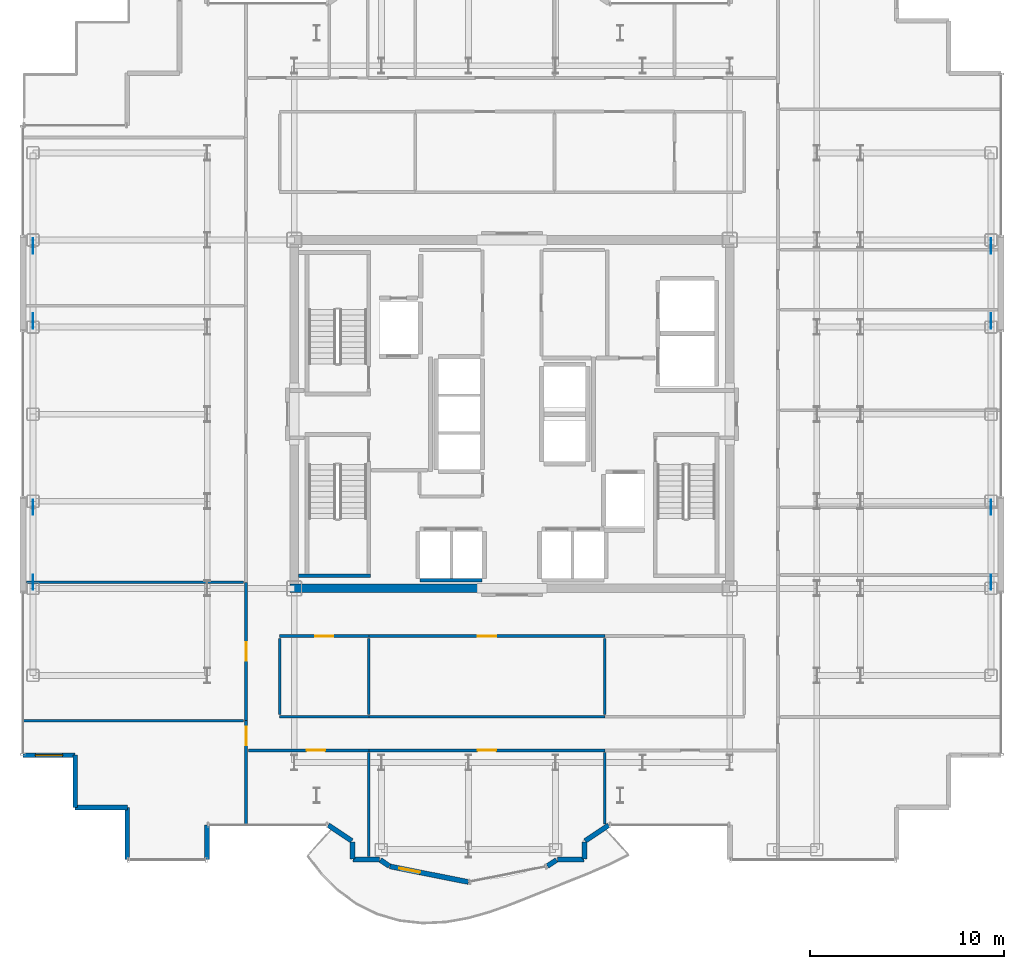
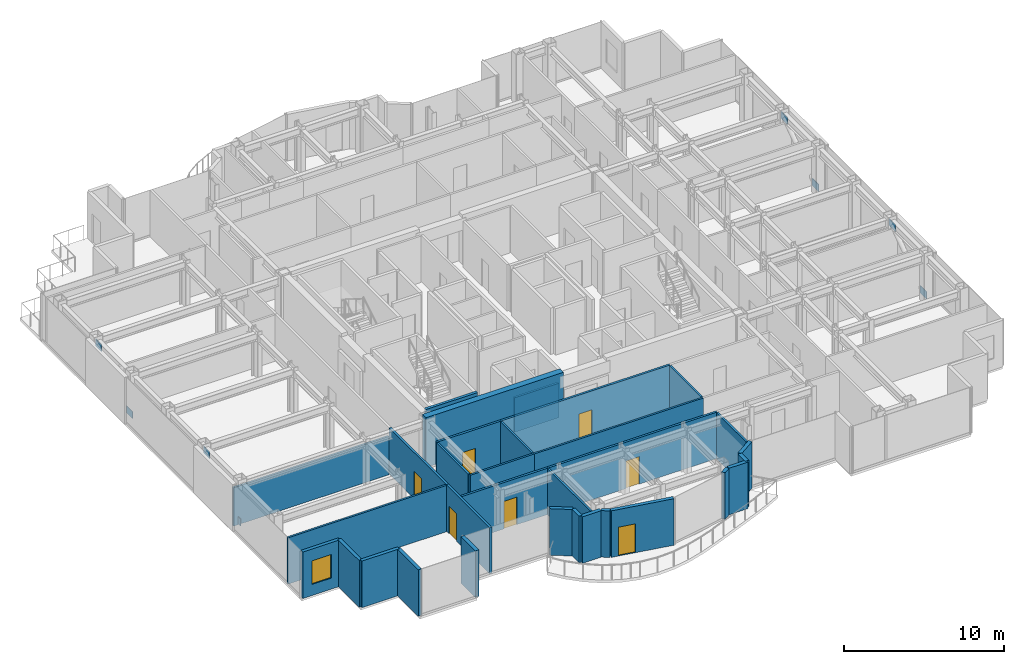
# One storey, part 15 of 22: 32 walls, 8 plates, 7 doors, 1 window, 8 openings.
"""IFC4 building model written with IfcOpenShell, lengths in metres."""

from ifc_helpers import new_model, si_unit, direction, frame, frame_2d, origin, origin_2d, place, context, subcontext, project, spatial, rectangle, extrude, source, transform, mapped, material, layer, layer_set, type_object, element, fill, save


model = new_model("IFC4")

# Units and contexts
model_context = context("Model", 3, precision=1e-05, world=origin(), true_north=direction((0.0, 1.0)))
body_context = subcontext(model_context, "Body", "Model", "MODEL_VIEW")
ifc_project = project(units=[si_unit("LENGTHUNIT", "METRE"), si_unit("AREAUNIT", "SQUARE_METRE"), si_unit("VOLUMEUNIT", "CUBIC_METRE"), si_unit("PLANEANGLEUNIT", "RADIAN"), si_unit("MASSUNIT", "GRAM", prefix="KILO")], contexts=[model_context])

# Site, building, storey
site_placement = place(None, origin())
site = spatial("IfcSite", under=ifc_project, at=site_placement, CompositionType="ELEMENT")
building_placement = place(site_placement, origin())
building = spatial("IfcBuilding", under=site, at=building_placement, Name="Nefas-Gora Pilgrimage Tower", CompositionType="ELEMENT")
storey_placement = place(building_placement, frame((0.0, 0.0, 240.800048828125)))
storey = spatial("IfcBuildingStorey", under=building, at=storey_placement, Name="L60", CompositionType="ELEMENT", Elevation=240.800048828125)

# Plates
ifc_material_1 = material(Name="Steel S460", Category="steel")
ifc_layer_1 = layer(ifc_material_1, 0.050048828125)
ifc_layer_set_1 = layer_set([ifc_layer_1], Name="Steel S460")
plate_type = type_object("IfcPlateType", Name="PLT-NODE-N08", PredefinedType="USERDEFINED", material=ifc_layer_set_1)
shared_shape_1 = source(origin(), body_context, "Body", "SweptSolid", [
    extrude(rectangle(XDim=0.780029296875, YDim=0.0380859375, at=origin_2d()), origin(), (0.0, 0.0, 1.0), 0.5400390625),
])
for number, where, z_axis, x_axis, name in (
    (1, (-24.75, -8.68701171875, 0.10400390625), (0.0, 0.0, 1.0), (0.0, 1.0, 0.0), "Structural Node Gusset Plate N08 (L60)"),
    (2, (-24.75, -4.81298828125, 2.8759765625), (0.0, 0.0, 1.0), (0.0, 1.0, 0.0), "Structural Node Gusset Plate N08 (L60)"),
    (3, (-24.75, 4.81298828125, 0.10400390625), (0.0, 0.0, 1.0), (0.0, 1.0, 0.0), "Structural Node Gusset Plate N08 (L60)"),
    (4, (-24.75, 8.68701171875, 2.8759765625), (0.0, 0.0, 1.0), (0.0, 1.0, 0.0), "Structural Node Gusset Plate N08 (L60)"),
    (5, (24.75, -8.68701171875, 0.10400390625), (0.0, 0.0, 1.0), (0.0, 1.0, 0.0), "Structural Node Gusset Plate N08 (L60)"),
    (6, (24.75, -4.81298828125, 2.8759765625), (0.0, 0.0, 1.0), (0.0, 1.0, 0.0), "Structural Node Gusset Plate N08 (L60)"),
    (7, (24.75, 4.81298828125, 0.10400390625), (0.0, 0.0, 1.0), (0.0, 1.0, 0.0), "Structural Node Gusset Plate N08 (L60)"),
    (8, (24.75, 8.68701171875, 2.8759765625), (0.0, 0.0, 1.0), (0.0, 1.0, 0.0), "Structural Node Gusset Plate N08 (L60)"),
):
    element("IfcPlate", number, at=place(storey_placement, frame(where, z_axis=z_axis, x_axis=x_axis)), inside=storey, type_object=plate_type, Name=name, ObjectType="GUSSET_PLATE", PredefinedType="USERDEFINED", context=body_context, shape_type="MappedRepresentation", body=[
        mapped(shared_shape_1, transform((0.0, 0.0, 0.0), x_axis=(1.0, 0.0, 0.0), y_axis=(0.0, 1.0, 0.0), z_axis=(0.0, 0.0, 1.0), scale=1.0)),
    ])

# Walls
ifc_material_2 = material(Name="Concrete C50/60", Category="concrete")
ifc_layer_2 = layer(ifc_material_2, 0.449951171875)
ifc_layer_set_2 = layer_set([ifc_layer_2], Name="Concrete C50/60")
wall_type_1 = type_object("IfcWallType", Name="SW-CORE-450", PredefinedType="SHEAR", material=ifc_layer_set_2)
shared_shape_2 = source(origin(), body_context, "Body", "SweptSolid", [
    extrude(rectangle(XDim=9.925048828125, YDim=0.449951171875, at=frame_2d((4.96240234375, 0.0))), origin(), (0.0, 0.0, 1.0), 3.800048828125),
])
wall_1_placement = place(storey_placement, frame((-11.47509765625, -9.0, 0.0), z_axis=(0.0, 0.0, 1.0), x_axis=(1.0, 0.0, 0.0)))
element("IfcWall", 9, at=wall_1_placement, inside=storey, type_object=wall_type_1, Name="L60 Core Shear Wall S-West", PredefinedType="SHEAR", context=body_context, shape_type="MappedRepresentation", body=[
    mapped(shared_shape_2, transform((0.0, 0.0, 0.0), x_axis=(1.0, 0.0, 0.0), y_axis=(0.0, 1.0, 0.0), z_axis=(0.0, 0.0, 1.0), scale=1.0)),
])
ifc_material_3 = material(Name="Precast concrete C40/50", Category="concrete")
ifc_layer_3 = layer(ifc_material_3, 0.260009765625)
ifc_layer_set_3 = layer_set([ifc_layer_3], Name="Precast concrete C40/50")
wall_type_2 = type_object("IfcWallType", Name="EW-PORTAL-260", PredefinedType="SOLIDWALL", material=ifc_layer_set_3)
shared_shape_3 = source(origin(), body_context, "Body", "SweptSolid", [
    extrude(rectangle(XDim=1.800048828125, YDim=0.260009765625, at=frame_2d((0.89990234375, 0.0))), origin(), (0.0, 0.0, 1.0), 3.550048828125),
])
wall_2_placement = place(storey_placement, frame((-15.75, -23.02001953125, 0.0), z_axis=(0.0, 0.0, 1.0), x_axis=(0.0, 1.0, 0.0)))
element("IfcWall", 10, at=wall_2_placement, inside=storey, type_object=wall_type_2, Name="L60 Lobe Shoulder Precast Spandrel Pier 33", PredefinedType="SOLIDWALL", context=body_context, shape_type="MappedRepresentation", body=[
    mapped(shared_shape_3, transform((0.0, 0.0, 0.0), x_axis=(1.0, 0.0, 0.0), y_axis=(0.0, 1.0, 0.0), z_axis=(0.0, 0.0, 1.0), scale=1.0)),
])

# Wall, opening, window
ifc_material_4 = material(Name="Precast concrete C45/55", Category="concrete")
ifc_layer_4 = layer(ifc_material_4, 0.239990234375)
ifc_layer_set_4 = layer_set([ifc_layer_4], Name="Precast concrete C45/55")
wall_type_3 = type_object("IfcWallType", Name="EW-SERR-240", PredefinedType="SHEAR", material=ifc_layer_set_4)
shared_shape_4 = source(origin(), body_context, "Body", "SweptSolid", [
    extrude(rectangle(XDim=2.699951171875, YDim=0.239990234375, at=frame_2d((1.35009765625, 0.0))), origin(), (0.0, 0.0, 1.0), 3.550048828125),
])
wall_3_placement = place(storey_placement, frame((-25.27001953125, -17.6201171875, 0.0), z_axis=(0.0, 0.0, 1.0), x_axis=(1.0, 0.0, 0.0)))
wall_3 = element("IfcWall", 11, at=wall_3_placement, inside=storey, type_object=wall_type_3, Name="L60 Serrated Corner Shear Pier Wall 29", PredefinedType="SHEAR", context=body_context, shape_type="MappedRepresentation", body=[
    mapped(shared_shape_4, transform((0.0, 0.0, 0.0), x_axis=(1.0, 0.0, 0.0), y_axis=(0.0, 1.0, 0.0), z_axis=(0.0, 0.0, 1.0), scale=1.0)),
])
opening_1_placement = place(wall_3_placement, frame((0.64990234375, 0.0, 0.85009765625)))
opening_1 = element("IfcOpeningElement", 12, at=opening_1_placement, cuts=wall_3, Name="Opening W-V2", PredefinedType="OPENING", context=body_context, shape_type="SweptSolid", body=[
    extrude(rectangle(XDim=1.39990234375, YDim=1.800048828125, at=frame_2d((0.699951171875, 0.89990234375))), frame((0.0, 0.1298828125, 0.0), z_axis=(0.0, -1.0, 0.0), x_axis=(1.0, 0.0, 0.0)), (0.0, 0.0, 1.0), 0.260009765625),
])
ifc_material_5 = material(Name="Dark ceramic-fritted operable aluminium-glass window", Category="aluminium")
window_type = type_object("IfcWindowType", Name="WIN-VENT-1400x1800", PartitioningType="SINGLE_PANEL", PredefinedType="WINDOW", material=ifc_material_5)
shared_shape_5 = source(origin(), body_context, "Body", "SweptSolid", [
    extrude(rectangle(XDim=1.39990234375, YDim=1.800048828125, at=frame_2d((0.699951171875, 0.89990234375))), frame((0.0, 0.030029296875, 0.0), z_axis=(0.0, -1.0, 0.0), x_axis=(1.0, 0.0, 0.0)), (0.0, 0.0, 1.0), 0.06005859375),
])
window_placement = place(opening_1_placement, origin())
window = element("IfcWindow", 13, at=window_placement, inside=storey, type_object=window_type, Name="L60 Operable Parallel-Outswing Window 29", OverallHeight=1.800048828125, OverallWidth=1.39990234375, PartitioningType="SINGLE_PANEL", PredefinedType="WINDOW", context=body_context, shape_type="MappedRepresentation", body=[
    mapped(shared_shape_5, transform((0.0, 0.0, 0.0), x_axis=(1.0, 0.0, 0.0), y_axis=(0.0, 1.0, 0.0), z_axis=(0.0, 0.0, 1.0), scale=1.0)),
])
fill(opening_1, window)

# Walls
for number, where, z_axis, x_axis, name in (
    (14, (-22.570068359375, -17.6201171875, 0.0), (0.0, 0.0, 1.0), (0.0, -1.0, 0.0), "L60 Serrated Corner Shear Pier Wall 30"),
    (15, (-22.570068359375, -20.320068359375, 0.0), (0.0, 0.0, 1.0), (1.0, 0.0, 0.0), "L60 Serrated Corner Shear Pier Wall 31"),
    (16, (-19.8701171875, -20.320068359375, 0.0), (0.0, 0.0, 1.0), (0.0, -1.0, 0.0), "L60 Serrated Corner Shear Pier Wall 32"),
):
    element("IfcWall", number, at=place(storey_placement, frame(where, z_axis=z_axis, x_axis=x_axis)), inside=storey, type_object=wall_type_3, Name=name, PredefinedType="SHEAR", context=body_context, shape_type="MappedRepresentation", body=[
        mapped(shared_shape_4, transform((0.0, 0.0, 0.0), x_axis=(1.0, 0.0, 0.0), y_axis=(0.0, 1.0, 0.0), z_axis=(0.0, 0.0, 1.0), scale=1.0)),
    ])
shared_shape_6 = source(origin(), body_context, "Body", "SweptSolid", [
    extrude(rectangle(XDim=1.468994140625, YDim=0.260009765625, at=frame_2d((0.734375, 0.0))), origin(), (0.0, 0.0, 1.0), 3.550048828125),
])
for number, where, z_axis, x_axis, name in (
    (17, (-9.49462890625, -21.235595703125, 0.0), (0.0, 0.0, 1.0), (0.831461760506, -0.555581983884, 0.0), "L60 Lobe Shoulder Precast Spandrel Pier 34"),
    (18, (3.773193359375, -22.0517578125, 0.0), (0.0, 0.0, 1.0), (0.831461760506, 0.555581983884, 0.0), "L60 Lobe Shoulder Precast Spandrel Pier 42"),
):
    element("IfcWall", number, at=place(storey_placement, frame(where, z_axis=z_axis, x_axis=x_axis)), inside=storey, type_object=wall_type_2, Name=name, PredefinedType="SOLIDWALL", context=body_context, shape_type="MappedRepresentation", body=[
        mapped(shared_shape_6, transform((0.0, 0.0, 0.0), x_axis=(1.0, 0.0, 0.0), y_axis=(0.0, 1.0, 0.0), z_axis=(0.0, 0.0, 1.0), scale=1.0)),
    ])
shared_shape_7 = source(origin(), body_context, "Body", "SweptSolid", [
    extrude(rectangle(XDim=0.896728515625, YDim=0.260009765625, at=frame_2d((0.4482421875, 0.0))), origin(), (0.0, 0.0, 1.0), 3.550048828125),
])
for number, where, z_axis, x_axis, name in (
    (19, (-8.25, -22.09521484375, 0.0), (0.0, 0.0, 1.0), (0.0, -1.0, 0.0), "L60 Lobe Shoulder Precast Spandrel Pier 35"),
    (20, (3.75, -22.991943359375, 0.0), (0.0, 0.0, 1.0), (0.0, 1.0, 0.0), "L60 Lobe Shoulder Precast Spandrel Pier 41"),
):
    element("IfcWall", number, at=place(storey_placement, frame(where, z_axis=z_axis, x_axis=x_axis)), inside=storey, type_object=wall_type_2, Name=name, PredefinedType="SOLIDWALL", context=body_context, shape_type="MappedRepresentation", body=[
        mapped(shared_shape_7, transform((0.0, 0.0, 0.0), x_axis=(1.0, 0.0, 0.0), y_axis=(0.0, 1.0, 0.0), z_axis=(0.0, 0.0, 1.0), scale=1.0)),
    ])
shared_shape_8 = source(origin(), body_context, "Body", "SweptSolid", [
    extrude(rectangle(XDim=1.369873046875, YDim=0.260009765625, at=frame_2d((0.68505859375, 0.0))), origin(), (0.0, 0.0, 1.0), 3.550048828125),
])
for number, where, z_axis, x_axis, name in (
    (21, (-8.221923828125, -23.02001953125, 0.0), (0.0, 0.0, 1.0), (1.0, 0.0, 0.0), "L60 Lobe Shoulder Precast Spandrel Pier 36"),
    (22, (2.35205078125, -23.02001953125, 0.0), (0.0, 0.0, 1.0), (1.0, 0.0, 0.0), "L60 Lobe Shoulder Precast Spandrel Pier 40"),
):
    element("IfcWall", number, at=place(storey_placement, frame(where, z_axis=z_axis, x_axis=x_axis)), inside=storey, type_object=wall_type_2, Name=name, PredefinedType="SOLIDWALL", context=body_context, shape_type="MappedRepresentation", body=[
        mapped(shared_shape_8, transform((0.0, 0.0, 0.0), x_axis=(1.0, 0.0, 0.0), y_axis=(0.0, 1.0, 0.0), z_axis=(0.0, 0.0, 1.0), scale=1.0)),
    ])
shared_shape_9 = source(origin(), body_context, "Body", "SweptSolid", [
    extrude(rectangle(XDim=0.5654296875, YDim=0.260009765625, at=frame_2d((0.28271484375, 0.0))), origin(), (0.0, 0.0, 1.0), 3.550048828125),
])
for number, where, z_axis, x_axis, name in (
    (23, (-6.80078125, -23.03564453125, 0.0), (0.0, 0.0, 1.0), (0.831651492666, -0.555297933317, 0.0), "L60 Lobe Shoulder Precast Spandrel Pier 37"),
    (24, (1.83056640625, -23.349609375, 0.0), (0.0, 0.0, 1.0), (0.831651492666, 0.555297933317, 0.0), "L60 Lobe Shoulder Precast Spandrel Pier 39"),
):
    element("IfcWall", number, at=place(storey_placement, frame(where, z_axis=z_axis, x_axis=x_axis)), inside=storey, type_object=wall_type_2, Name=name, PredefinedType="SOLIDWALL", context=body_context, shape_type="MappedRepresentation", body=[
        mapped(shared_shape_9, transform((0.0, 0.0, 0.0), x_axis=(1.0, 0.0, 0.0), y_axis=(0.0, 1.0, 0.0), z_axis=(0.0, 0.0, 1.0), scale=1.0)),
    ])

# Wall, opening, door
shared_shape_10 = source(origin(), body_context, "Body", "SweptSolid", [
    extrude(rectangle(XDim=4.136962890625, YDim=0.260009765625, at=frame_2d((2.068359375, 0.0))), origin(), (0.0, 0.0, 1.0), 3.550048828125),
])
wall_4_placement = place(storey_placement, frame((-6.307373046875, -23.365234375, 0.0), z_axis=(0.0, 0.0, 1.0), x_axis=(0.980782170794, -0.195105954428, 0.0)))
wall_4 = element("IfcWall", 25, at=wall_4_placement, inside=storey, type_object=wall_type_2, Name="L60 Insulated Terrace Portal Wall 38", PredefinedType="SOLIDWALL", context=body_context, shape_type="MappedRepresentation", body=[
    mapped(shared_shape_10, transform((0.0, 0.0, 0.0), x_axis=(1.0, 0.0, 0.0), y_axis=(0.0, 1.0, 0.0), z_axis=(0.0, 0.0, 1.0), scale=1.0)),
])
opening_2_placement = place(wall_4_placement, frame((0.48779296875, 0.0, 0.0)))
opening_2 = element("IfcOpeningElement", 26, at=opening_2_placement, cuts=wall_4, Name="Opening ED-B1", PredefinedType="OPENING", context=body_context, shape_type="SweptSolid", body=[
    extrude(rectangle(XDim=1.10009765625, YDim=2.199951171875, at=frame_2d((0.550048828125, 1.10009765625))), frame((0.0, 0.139892578125, 0.0), z_axis=(0.0, -1.0, 0.0), x_axis=(1.0, 0.0, 0.0)), (0.0, 0.0, 1.0), 0.280029296875),
])
ifc_material_6 = material(Name="Thermally broken glazed aluminium balcony door", Category="aluminium")
door_type_1 = type_object("IfcDoorType", Name="DR-EXT-BAL-1100", OperationType="NOTDEFINED", PredefinedType="DOOR", material=ifc_material_6)
shared_shape_11 = source(origin(), body_context, "Body", "SweptSolid", [
    extrude(rectangle(XDim=1.10009765625, YDim=2.199951171875, at=frame_2d((0.550048828125, 1.10009765625))), frame((0.0, 0.02490234375, 0.0), z_axis=(0.0, -1.0, 0.0), x_axis=(1.0, 0.0, 0.0)), (0.0, 0.0, 1.0), 0.050048828125),
])
door_1_placement = place(opening_2_placement, origin())
door_1 = element("IfcDoor", 27, at=door_1_placement, inside=storey, type_object=door_type_1, Name="L60 Exterior Door (L60 S Lobe Wave Balcony)", OperationType="SINGLE_SWING_RIGHT", OverallHeight=2.199951171875, OverallWidth=1.10009765625, PredefinedType="DOOR", context=body_context, shape_type="MappedRepresentation", body=[
    mapped(shared_shape_11, transform((0.0, 0.0, 0.0), x_axis=(1.0, 0.0, 0.0), y_axis=(0.0, 1.0, 0.0), z_axis=(0.0, 0.0, 1.0), scale=1.0)),
])
fill(opening_2, door_1)

# Walls
ifc_material_7 = material(Name="Concrete C45/55", Category="concrete")
ifc_layer_5 = layer(ifc_material_7, 0.199951171875)
ifc_layer_set_5 = layer_set([ifc_layer_5], Name="Concrete C45/55")
wall_type_4 = type_object("IfcWallType", Name="IW-STAIR-200", PredefinedType="SOLIDWALL", material=ifc_layer_set_5)
shared_shape_12 = source(origin(), body_context, "Body", "SweptSolid", [
    extrude(rectangle(XDim=3.72998046875, YDim=0.199951171875, at=frame_2d((1.864990234375, 0.0))), origin(), (0.0, 0.0, 1.0), 3.800048828125),
])
wall_5_placement = place(storey_placement, frame((-11.030029296875, -8.35009765625, 0.0), z_axis=(0.0, 0.0, 1.0), x_axis=(1.0, 0.0, 0.0)))
element("IfcWall", 28, at=wall_5_placement, inside=storey, type_object=wall_type_4, Name="L60 Stairwell Shear Wall ST-03-far", PredefinedType="SOLIDWALL", context=body_context, shape_type="MappedRepresentation", body=[
    mapped(shared_shape_12, transform((0.0, 0.0, 0.0), x_axis=(1.0, 0.0, 0.0), y_axis=(0.0, 1.0, 0.0), z_axis=(0.0, 0.0, 1.0), scale=1.0)),
])
ifc_material_8 = material(Name="Gypsum acoustic stud partition")
ifc_layer_6 = layer(ifc_material_8, 0.159912109375)
ifc_layer_set_6 = layer_set([ifc_layer_6], Name="Gypsum acoustic stud partition")
wall_type_5 = type_object("IfcWallType", Name="IW-CORR-160", PredefinedType="PARTITIONING", material=ifc_layer_set_6)
shared_shape_13 = source(origin(), body_context, "Body", "SweptSolid", [
    extrude(rectangle(XDim=3.199951171875, YDim=0.159912109375, at=frame_2d((1.60009765625, 0.0))), origin(), (0.0, 0.0, 1.0), 2.625),
])
wall_6_placement = place(storey_placement, frame((-4.75, -8.580078125, 0.0), z_axis=(0.0, 0.0, 1.0), x_axis=(1.0, 0.0, 0.0)))
element("IfcWall", 29, at=wall_6_placement, inside=storey, type_object=wall_type_5, Name="L60 Hoistway Wall PL2-W-S", PredefinedType="PARTITIONING", context=body_context, shape_type="MappedRepresentation", body=[
    mapped(shared_shape_13, transform((0.0, 0.0, 0.0), x_axis=(1.0, 0.0, 0.0), y_axis=(0.0, 1.0, 0.0), z_axis=(0.0, 0.0, 1.0), scale=1.0)),
])

# Wall, opening, door
shared_shape_14 = source(origin(), body_context, "Body", "SweptSolid", [
    extrude(rectangle(XDim=6.22509765625, YDim=0.159912109375, at=frame_2d((3.112548828125, 0.0))), origin(), (0.0, 0.0, 1.0), 3.534912109375),
])
wall_7_placement = place(storey_placement, frame((-13.6201171875, -17.3701171875, 0.0), z_axis=(0.0, 0.0, 1.0), x_axis=(1.0, 0.0, 0.0)))
wall_7 = element("IfcWall", 30, at=wall_7_placement, inside=storey, type_object=wall_type_5, Name="L60 Pilgrim Contemplative Lounge Partition Wall 73", PredefinedType="PARTITIONING", context=body_context, shape_type="MappedRepresentation", body=[
    mapped(shared_shape_14, transform((0.0, 0.0, 0.0), x_axis=(1.0, 0.0, 0.0), y_axis=(0.0, 1.0, 0.0), z_axis=(0.0, 0.0, 1.0), scale=1.0)),
])
opening_3_placement = place(wall_7_placement, frame((3.0146484375, 0.0, 0.0)))
opening_3 = element("IfcOpeningElement", 31, at=opening_3_placement, cuts=wall_7, Name="Opening ID-GR1", PredefinedType="OPENING", context=body_context, shape_type="SweptSolid", body=[
    extrude(rectangle(XDim=0.949951171875, YDim=2.10009765625, at=frame_2d((0.47509765625, 1.050048828125))), frame((0.0, 0.08984375, 0.0), z_axis=(0.0, -1.0, 0.0), x_axis=(1.0, 0.0, 0.0)), (0.0, 0.0, 1.0), 0.179931640625),
])
ifc_material_9 = material(Name="Solid core oak fire-rated guest entrance door")
door_type_2 = type_object("IfcDoorType", Name="DR-INT-GUEST-950", OperationType="NOTDEFINED", PredefinedType="DOOR", material=ifc_material_9)
shared_shape_15 = source(origin(), body_context, "Body", "SweptSolid", [
    extrude(rectangle(XDim=0.949951171875, YDim=2.10009765625, at=frame_2d((0.47509765625, 1.050048828125))), frame((0.0, 0.02490234375, 0.0), z_axis=(0.0, -1.0, 0.0), x_axis=(1.0, 0.0, 0.0)), (0.0, 0.0, 1.0), 0.050048828125),
])
door_2_placement = place(opening_3_placement, origin())
door_2 = element("IfcDoor", 32, at=door_2_placement, inside=storey, type_object=door_type_2, Name="L60 Pilgrim Contemplative Lounge Door 33", OperationType="SINGLE_SWING_LEFT", OverallHeight=2.10009765625, OverallWidth=0.949951171875, PredefinedType="DOOR", context=body_context, shape_type="MappedRepresentation", body=[
    mapped(shared_shape_15, transform((0.0, 0.0, 0.0), x_axis=(1.0, 0.0, 0.0), y_axis=(0.0, 1.0, 0.0), z_axis=(0.0, 0.0, 1.0), scale=1.0)),
])
fill(opening_3, door_2)

# Walls
ifc_material_10 = material(Name="Gypsum twin-stud partition")
ifc_layer_7 = layer(ifc_material_10, 0.139892578125)
ifc_layer_set_7 = layer_set([ifc_layer_7], Name="Gypsum twin-stud partition")
wall_type_6 = type_object("IfcWallType", Name="IW-UNIT-140", PredefinedType="PARTITIONING", material=ifc_layer_set_7)
shared_shape_16 = source(origin(), body_context, "Body", "SweptSolid", [
    extrude(rectangle(XDim=11.429931640625, YDim=0.139892578125, at=frame_2d((5.71484375, 0.0))), origin(), (0.0, 0.0, 1.0), 3.534912109375),
])
wall_8_placement = place(storey_placement, frame((-25.2900390625, -15.84375, 0.0), z_axis=(0.0, 0.0, 1.0), x_axis=(1.0, 0.0, 0.0)))
element("IfcWall", 33, at=wall_8_placement, inside=storey, type_object=wall_type_6, Name="L60 Pilgrim Floor Concierge Foyer Partition Wall 32", PredefinedType="PARTITIONING", context=body_context, shape_type="MappedRepresentation", body=[
    mapped(shared_shape_16, transform((0.0, 0.0, 0.0), x_axis=(1.0, 0.0, 0.0), y_axis=(0.0, 1.0, 0.0), z_axis=(0.0, 0.0, 1.0), scale=1.0)),
])
shared_shape_17 = source(origin(), body_context, "Body", "SweptSolid", [
    extrude(rectangle(XDim=3.929931640625, YDim=0.139892578125, at=frame_2d((1.96484375, 0.0))), origin(), (0.0, 0.0, 1.0), 3.534912109375),
])
for number, where, z_axis, x_axis, name in (
    (34, (-12.0, -15.52001953125, 0.0), (0.0, 0.0, 1.0), (0.0, 1.0, 0.0), "L60 Pilgrim Contemplative Lounge Partition Wall 77"),
    (35, (-7.405029296875, -15.52001953125, 0.0), (0.0, 0.0, 1.0), (0.0, 1.0, 0.0), "L60 Pilgrim Contemplative Lounge Partition Wall 78"),
    (36, (4.794921875, -15.52001953125, 0.0), (0.0, 0.0, 1.0), (0.0, 1.0, 0.0), "L60 Pilgrim Contemplative Lounge Partition Wall 83"),
):
    element("IfcWall", number, at=place(storey_placement, frame(where, z_axis=z_axis, x_axis=x_axis)), inside=storey, type_object=wall_type_6, Name=name, PredefinedType="PARTITIONING", context=body_context, shape_type="MappedRepresentation", body=[
        mapped(shared_shape_17, transform((0.0, 0.0, 0.0), x_axis=(1.0, 0.0, 0.0), y_axis=(0.0, 1.0, 0.0), z_axis=(0.0, 0.0, 1.0), scale=1.0)),
    ])

# Wall, opening, door
shared_shape_18 = source(origin(), body_context, "Body", "SweptSolid", [
    extrude(rectangle(XDim=4.614990234375, YDim=0.159912109375, at=frame_2d((2.3076171875, 0.0))), origin(), (0.0, 0.0, 1.0), 3.534912109375),
])
wall_9_placement = place(storey_placement, frame((-12.010009765625, -11.469970703125, 0.0), z_axis=(0.0, 0.0, 1.0), x_axis=(1.0, 0.0, 0.0)))
wall_9 = element("IfcWall", 37, at=wall_9_placement, inside=storey, type_object=wall_type_5, Name="L60 Pilgrim Contemplative Lounge Partition Wall 75", PredefinedType="PARTITIONING", context=body_context, shape_type="MappedRepresentation", body=[
    mapped(shared_shape_18, transform((0.0, 0.0, 0.0), x_axis=(1.0, 0.0, 0.0), y_axis=(0.0, 1.0, 0.0), z_axis=(0.0, 0.0, 1.0), scale=1.0)),
])
opening_4_placement = place(wall_9_placement, frame((1.83251953125, 0.0, 0.0)))
opening_4 = element("IfcOpeningElement", 38, at=opening_4_placement, cuts=wall_9, Name="Opening ID-GR1", PredefinedType="OPENING", context=body_context, shape_type="SweptSolid", body=[
    extrude(rectangle(XDim=0.949951171875, YDim=2.10009765625, at=frame_2d((0.47509765625, 1.050048828125))), frame((0.0, 0.08984375, 0.0), z_axis=(0.0, -1.0, 0.0), x_axis=(1.0, 0.0, 0.0)), (0.0, 0.0, 1.0), 0.179931640625),
])
door_3_placement = place(opening_4_placement, origin())
door_3 = element("IfcDoor", 39, at=door_3_placement, inside=storey, type_object=door_type_2, Name="L60 Pilgrim Contemplative Lounge Door 34", OperationType="SINGLE_SWING_RIGHT", OverallHeight=2.10009765625, OverallWidth=0.949951171875, PredefinedType="DOOR", context=body_context, shape_type="MappedRepresentation", body=[
    mapped(shared_shape_15, transform((0.0, 0.0, 0.0), x_axis=(1.0, 0.0, 0.0), y_axis=(0.0, 1.0, 0.0), z_axis=(0.0, 0.0, 1.0), scale=1.0)),
])
fill(opening_4, door_3)

# Walls
shared_shape_19 = source(origin(), body_context, "Body", "SweptSolid", [
    extrude(rectangle(XDim=4.614990234375, YDim=0.139892578125, at=frame_2d((2.3076171875, 0.0))), origin(), (0.0, 0.0, 1.0), 3.534912109375),
])
wall_10_placement = place(storey_placement, frame((-12.010009765625, -15.6298828125, 0.0), z_axis=(0.0, 0.0, 1.0), x_axis=(1.0, 0.0, 0.0)))
element("IfcWall", 40, at=wall_10_placement, inside=storey, type_object=wall_type_6, Name="L60 Pilgrim Contemplative Lounge Partition Wall 76", PredefinedType="PARTITIONING", context=body_context, shape_type="MappedRepresentation", body=[
    mapped(shared_shape_19, transform((0.0, 0.0, 0.0), x_axis=(1.0, 0.0, 0.0), y_axis=(0.0, 1.0, 0.0), z_axis=(0.0, 0.0, 1.0), scale=1.0)),
])
shared_shape_20 = source(origin(), body_context, "Body", "SweptSolid", [
    extrude(rectangle(XDim=5.360107421875, YDim=0.139892578125, at=frame_2d((2.68017578125, 0.0))), origin(), (0.0, 0.0, 1.0), 3.534912109375),
])
wall_11_placement = place(storey_placement, frame((-7.405029296875, -22.85009765625, 0.0), z_axis=(0.0, 0.0, 1.0), x_axis=(0.0, 1.0, 0.0)))
element("IfcWall", 41, at=wall_11_placement, inside=storey, type_object=wall_type_6, Name="L60 Pilgrim Contemplative Lounge Partition Wall 74", PredefinedType="PARTITIONING", context=body_context, shape_type="MappedRepresentation", body=[
    mapped(shared_shape_20, transform((0.0, 0.0, 0.0), x_axis=(1.0, 0.0, 0.0), y_axis=(0.0, 1.0, 0.0), z_axis=(0.0, 0.0, 1.0), scale=1.0)),
])
shared_shape_21 = source(origin(), body_context, "Body", "SweptSolid", [
    extrude(rectangle(XDim=11.219970703125, YDim=0.139892578125, at=frame_2d((5.60986328125, 0.0))), origin(), (0.0, 0.0, 1.0), 2.925048828125),
])
wall_12_placement = place(storey_placement, frame((-25.080078125, -8.677490234375, 0.0), z_axis=(0.0, 0.0, 1.0), x_axis=(1.0, 0.0, 0.0)))
element("IfcWall", 42, at=wall_12_placement, inside=storey, type_object=wall_type_6, Name="L60 Pilgrim Floor Concierge Foyer Partition Wall 29", PredefinedType="PARTITIONING", context=body_context, shape_type="MappedRepresentation", body=[
    mapped(shared_shape_21, transform((0.0, 0.0, 0.0), x_axis=(1.0, 0.0, 0.0), y_axis=(0.0, 1.0, 0.0), z_axis=(0.0, 0.0, 1.0), scale=1.0)),
])

# Wall, opening, door
shared_shape_22 = source(origin(), body_context, "Body", "SweptSolid", [
    extrude(rectangle(XDim=5.40625, YDim=0.159912109375, at=frame_2d((2.703125, 0.0))), origin(), (0.0, 0.0, 1.0), 3.534912109375),
])
wall_13_placement = place(storey_placement, frame((-13.739990234375, -21.239990234375, 0.0), z_axis=(0.0, 0.0, 1.0), x_axis=(0.0, 1.0, 0.0)))
wall_13 = element("IfcWall", 43, at=wall_13_placement, inside=storey, type_object=wall_type_5, Name="L60 Pilgrim Floor Concierge Foyer Partition Wall 31", PredefinedType="PARTITIONING", context=body_context, shape_type="MappedRepresentation", body=[
    mapped(shared_shape_22, transform((0.0, 0.0, 0.0), x_axis=(1.0, 0.0, 0.0), y_axis=(0.0, 1.0, 0.0), z_axis=(0.0, 0.0, 1.0), scale=1.0)),
])
opening_5_placement = place(wall_13_placement, frame((4.14306640625, 0.0, 0.0)))
opening_5 = element("IfcOpeningElement", 44, at=opening_5_placement, cuts=wall_13, Name="Opening ID-GR1", PredefinedType="OPENING", context=body_context, shape_type="SweptSolid", body=[
    extrude(rectangle(XDim=0.949951171875, YDim=2.10009765625, at=frame_2d((0.47509765625, 1.050048828125))), frame((0.0, 0.08984375, 0.0), z_axis=(0.0, -1.0, 0.0), x_axis=(1.0, 0.0, 0.0)), (0.0, 0.0, 1.0), 0.179931640625),
])
door_4_placement = place(opening_5_placement, origin())
door_4 = element("IfcDoor", 45, at=door_4_placement, inside=storey, type_object=door_type_2, Name="L60 Pilgrim Floor Concierge Foyer Door 12", OperationType="SINGLE_SWING_RIGHT", OverallHeight=2.10009765625, OverallWidth=0.949951171875, PredefinedType="DOOR", context=body_context, shape_type="MappedRepresentation", body=[
    mapped(shared_shape_15, transform((0.0, 0.0, 0.0), x_axis=(1.0, 0.0, 0.0), y_axis=(0.0, 1.0, 0.0), z_axis=(0.0, 0.0, 1.0), scale=1.0)),
])
fill(opening_5, door_4)

shared_shape_23 = source(origin(), body_context, "Body", "SweptSolid", [
    extrude(rectangle(XDim=7.146240234375, YDim=0.159912109375, at=frame_2d((3.5732421875, 0.0))), origin(), (0.0, 0.0, 1.0), 3.534912109375),
])
wall_14_placement = place(storey_placement, frame((-13.739990234375, -15.833740234375, 0.0), z_axis=(0.0, 0.0, 1.0), x_axis=(0.0, 1.0, 0.0)))
wall_14 = element("IfcWall", 46, at=wall_14_placement, inside=storey, type_object=wall_type_5, Name="L60 Pilgrim Floor Concierge Foyer Partition Wall 33", PredefinedType="PARTITIONING", context=body_context, shape_type="MappedRepresentation", body=[
    mapped(shared_shape_23, transform((0.0, 0.0, 0.0), x_axis=(1.0, 0.0, 0.0), y_axis=(0.0, 1.0, 0.0), z_axis=(0.0, 0.0, 1.0), scale=1.0)),
])
opening_6_placement = place(wall_14_placement, frame((3.09814453125, 0.0, 0.0)))
opening_6 = element("IfcOpeningElement", 47, at=opening_6_placement, cuts=wall_14, Name="Opening ID-GR1", PredefinedType="OPENING", context=body_context, shape_type="SweptSolid", body=[
    extrude(rectangle(XDim=0.949951171875, YDim=2.10009765625, at=frame_2d((0.47509765625, 1.050048828125))), frame((0.0, 0.08984375, 0.0), z_axis=(0.0, -1.0, 0.0), x_axis=(1.0, 0.0, 0.0)), (0.0, 0.0, 1.0), 0.179931640625),
])
door_5_placement = place(opening_6_placement, origin())
door_5 = element("IfcDoor", 48, at=door_5_placement, inside=storey, type_object=door_type_2, Name="L60 Pilgrim Floor Concierge Foyer Door 13", OperationType="SINGLE_SWING_LEFT", OverallHeight=2.10009765625, OverallWidth=0.949951171875, PredefinedType="DOOR", context=body_context, shape_type="MappedRepresentation", body=[
    mapped(shared_shape_15, transform((0.0, 0.0, 0.0), x_axis=(1.0, 0.0, 0.0), y_axis=(0.0, 1.0, 0.0), z_axis=(0.0, 0.0, 1.0), scale=1.0)),
])
fill(opening_6, door_5)

shared_shape_24 = source(origin(), body_context, "Body", "SweptSolid", [
    extrude(rectangle(XDim=12.2099609375, YDim=0.159912109375, at=frame_2d((6.10498046875, 0.0))), origin(), (0.0, 0.0, 1.0), 3.534912109375),
])
wall_15_placement = place(storey_placement, frame((-7.405029296875, -17.3701171875, 0.0), z_axis=(0.0, 0.0, 1.0), x_axis=(1.0, 0.0, 0.0)))
wall_15 = element("IfcWall", 49, at=wall_15_placement, inside=storey, type_object=wall_type_5, Name="L60 Pilgrim Contemplative Lounge Partition Wall 79", PredefinedType="PARTITIONING", context=body_context, shape_type="MappedRepresentation", body=[
    mapped(shared_shape_24, transform((0.0, 0.0, 0.0), x_axis=(1.0, 0.0, 0.0), y_axis=(0.0, 1.0, 0.0), z_axis=(0.0, 0.0, 1.0), scale=1.0)),
])
opening_7_placement = place(wall_15_placement, frame((5.6298828125, 0.0, 0.0)))
opening_7 = element("IfcOpeningElement", 50, at=opening_7_placement, cuts=wall_15, Name="Opening ID-GR1", PredefinedType="OPENING", context=body_context, shape_type="SweptSolid", body=[
    extrude(rectangle(XDim=0.949951171875, YDim=2.10009765625, at=frame_2d((0.47509765625, 1.050048828125))), frame((0.0, 0.08984375, 0.0), z_axis=(0.0, -1.0, 0.0), x_axis=(1.0, 0.0, 0.0)), (0.0, 0.0, 1.0), 0.179931640625),
])
door_6_placement = place(opening_7_placement, origin())
door_6 = element("IfcDoor", 51, at=door_6_placement, inside=storey, type_object=door_type_2, Name="L60 Pilgrim Contemplative Lounge Door 35", OperationType="SINGLE_SWING_LEFT", OverallHeight=2.10009765625, OverallWidth=0.949951171875, PredefinedType="DOOR", context=body_context, shape_type="MappedRepresentation", body=[
    mapped(shared_shape_15, transform((0.0, 0.0, 0.0), x_axis=(1.0, 0.0, 0.0), y_axis=(0.0, 1.0, 0.0), z_axis=(0.0, 0.0, 1.0), scale=1.0)),
])
fill(opening_7, door_6)

wall_16_placement = place(storey_placement, frame((-7.405029296875, -11.469970703125, 0.0), z_axis=(0.0, 0.0, 1.0), x_axis=(1.0, 0.0, 0.0)))
wall_16 = element("IfcWall", 52, at=wall_16_placement, inside=storey, type_object=wall_type_5, Name="L60 Pilgrim Contemplative Lounge Partition Wall 81", PredefinedType="PARTITIONING", context=body_context, shape_type="MappedRepresentation", body=[
    mapped(shared_shape_24, transform((0.0, 0.0, 0.0), x_axis=(1.0, 0.0, 0.0), y_axis=(0.0, 1.0, 0.0), z_axis=(0.0, 0.0, 1.0), scale=1.0)),
])
opening_8_placement = place(wall_16_placement, frame((5.6298828125, 0.0, 0.0)))
opening_8 = element("IfcOpeningElement", 53, at=opening_8_placement, cuts=wall_16, Name="Opening ID-GR1", PredefinedType="OPENING", context=body_context, shape_type="SweptSolid", body=[
    extrude(rectangle(XDim=0.949951171875, YDim=2.10009765625, at=frame_2d((0.47509765625, 1.050048828125))), frame((0.0, 0.08984375, 0.0), z_axis=(0.0, -1.0, 0.0), x_axis=(1.0, 0.0, 0.0)), (0.0, 0.0, 1.0), 0.179931640625),
])
door_7_placement = place(opening_8_placement, origin())
door_7 = element("IfcDoor", 54, at=door_7_placement, inside=storey, type_object=door_type_2, Name="L60 Pilgrim Contemplative Lounge Door 36", OperationType="SINGLE_SWING_RIGHT", OverallHeight=2.10009765625, OverallWidth=0.949951171875, PredefinedType="DOOR", context=body_context, shape_type="MappedRepresentation", body=[
    mapped(shared_shape_15, transform((0.0, 0.0, 0.0), x_axis=(1.0, 0.0, 0.0), y_axis=(0.0, 1.0, 0.0), z_axis=(0.0, 0.0, 1.0), scale=1.0)),
])
fill(opening_8, door_7)

# Walls
shared_shape_25 = source(origin(), body_context, "Body", "SweptSolid", [
    extrude(rectangle(XDim=3.677001953125, YDim=0.139892578125, at=frame_2d((1.83837890625, 0.0))), origin(), (0.0, 0.0, 1.0), 3.534912109375),
])
wall_17_placement = place(storey_placement, frame((4.794921875, -21.1669921875, 0.0), z_axis=(0.0, 0.0, 1.0), x_axis=(0.0, 1.0, 0.0)))
element("IfcWall", 55, at=wall_17_placement, inside=storey, type_object=wall_type_6, Name="L60 Pilgrim Contemplative Lounge Partition Wall 80", PredefinedType="PARTITIONING", context=body_context, shape_type="MappedRepresentation", body=[
    mapped(shared_shape_25, transform((0.0, 0.0, 0.0), x_axis=(1.0, 0.0, 0.0), y_axis=(0.0, 1.0, 0.0), z_axis=(0.0, 0.0, 1.0), scale=1.0)),
])
shared_shape_26 = source(origin(), body_context, "Body", "SweptSolid", [
    extrude(rectangle(XDim=12.2099609375, YDim=0.139892578125, at=frame_2d((6.10498046875, 0.0))), origin(), (0.0, 0.0, 1.0), 3.534912109375),
])
wall_18_placement = place(storey_placement, frame((-7.405029296875, -15.6298828125, 0.0), z_axis=(0.0, 0.0, 1.0), x_axis=(1.0, 0.0, 0.0)))
element("IfcWall", 56, at=wall_18_placement, inside=storey, type_object=wall_type_6, Name="L60 Pilgrim Contemplative Lounge Partition Wall 82", PredefinedType="PARTITIONING", context=body_context, shape_type="MappedRepresentation", body=[
    mapped(shared_shape_26, transform((0.0, 0.0, 0.0), x_axis=(1.0, 0.0, 0.0), y_axis=(0.0, 1.0, 0.0), z_axis=(0.0, 0.0, 1.0), scale=1.0)),
])

save(model, "model.ifc")
